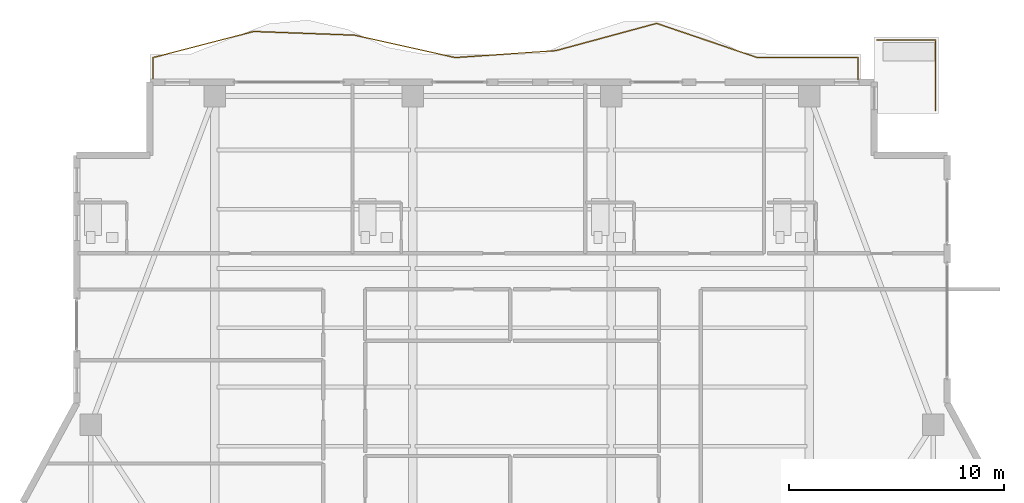
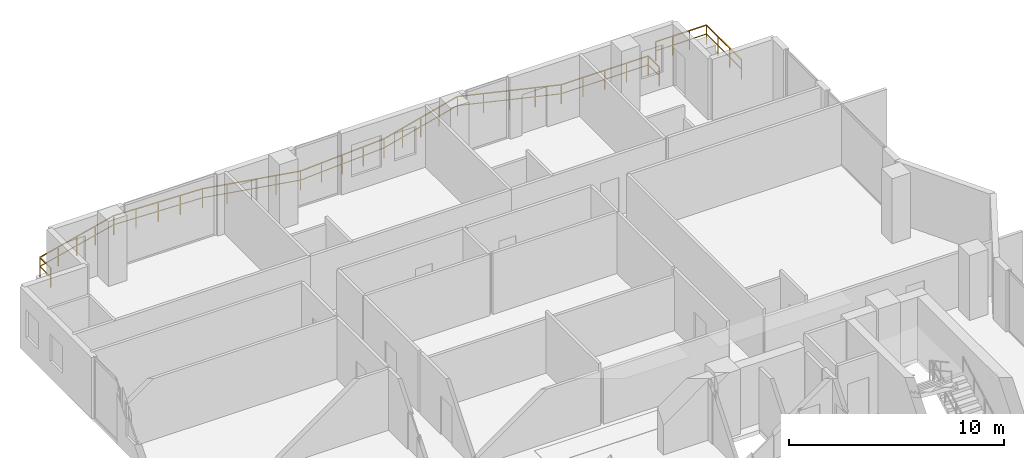
# One storey, part 22 of 23: 2 railings.
"""IFC4 building model written with IfcOpenShell, lengths in metres."""

from ifc_helpers import new_model, si_unit, direction, frame, origin, origin_2d, place, context, subcontext, project, spatial, rectangle, extrude, material, type_object, element, save


model = new_model("IFC4")

# Units and contexts
model_context = context("Model", 3, precision=1e-05, world=origin(), true_north=direction((0.0, 1.0)))
body_context = subcontext(model_context, "Body", "Model", "MODEL_VIEW")
ifc_project = project(units=[si_unit("LENGTHUNIT", "METRE"), si_unit("AREAUNIT", "SQUARE_METRE"), si_unit("VOLUMEUNIT", "CUBIC_METRE"), si_unit("PLANEANGLEUNIT", "RADIAN"), si_unit("MASSUNIT", "GRAM", prefix="KILO")], contexts=[model_context])

# Site, building, storey
site_placement = place(None, origin())
site = spatial("IfcSite", under=ifc_project, at=site_placement, CompositionType="ELEMENT")
building_placement = place(site_placement, origin())
building = spatial("IfcBuilding", under=site, at=building_placement, Name="Zuhayl Quay Hotel", CompositionType="ELEMENT")
storey_placement = place(building_placement, frame((0.0, 0.0, 265.550048828125)))
storey = spatial("IfcBuildingStorey", under=building, at=storey_placement, Name="L67", CompositionType="ELEMENT", Elevation=265.550048828125)

# Railings
ifc_material = material(Name="Anodised Aluminium and Laminated Glass", Category="aluminium")
railing_type = type_object("IfcRailingType", Name="RL_EXT_BAL_1100", PredefinedType="BALUSTRADE", material=ifc_material)
railing_1_placement = place(storey_placement, frame((-16.659912109375, 39.1201171875, 0.0)))
element("IfcRailing", 1, at=railing_1_placement, inside=storey, type_object=railing_type, Name="L67 Balcony and Terrace Guard GR_L67_BAL_N", PredefinedType="BALUSTRADE", context=body_context, shape_type="SweptSolid", body=[
    extrude(rectangle(XDim=0.048095703125, YDim=0.048095703125, at=origin_2d()), frame((0.0, 0.0, 1.09619140625), z_axis=(0.0, 1.0, 0.0), x_axis=(-1.0, 0.0, 0.0)), (0.0, 0.0, 1.0), 1.019775390625),
    extrude(rectangle(XDim=0.0361328125, YDim=0.0361328125, at=origin_2d()), frame((0.0, 0.0, 0.58251953125), z_axis=(0.0, 1.0, 0.0), x_axis=(-1.0, 0.0, 0.0)), (0.0, 0.0, 1.0), 1.019775390625),
    extrude(rectangle(XDim=0.048095703125, YDim=0.048095703125, at=origin_2d()), frame((0.0, 1.019775390625, 1.09619140625), z_axis=(0.968006450424, 0.250925311473, 0.0), x_axis=(-0.250925311473, 0.968006450424, 0.0)), (0.0, 0.0, 1.0), 4.828857421875),
    extrude(rectangle(XDim=0.0361328125, YDim=0.0361328125, at=origin_2d()), frame((0.0, 1.019775390625, 0.58251953125), z_axis=(0.968006450424, 0.250925311473, 0.0), x_axis=(-0.250925311473, 0.968006450424, 0.0)), (0.0, 0.0, 1.0), 4.828857421875),
    extrude(rectangle(XDim=0.048095703125, YDim=0.048095703125, at=origin_2d()), frame((4.67431640625, 2.2314453125, 1.09619140625), z_axis=(0.999341805023, -0.036276117961, 0.0), x_axis=(0.036276117961, 0.999341805023, 0.0)), (0.0, 0.0, 1.0), 4.677490234375),
    extrude(rectangle(XDim=0.0361328125, YDim=0.0361328125, at=origin_2d()), frame((4.67431640625, 2.2314453125, 0.58251953125), z_axis=(0.999341805023, -0.036276117961, 0.0), x_axis=(0.036276117961, 0.999341805023, 0.0)), (0.0, 0.0, 1.0), 4.677490234375),
    extrude(rectangle(XDim=0.048095703125, YDim=0.048095703125, at=origin_2d()), frame((9.3486328125, 2.061767578125, 1.09619140625), z_axis=(0.976040491198, -0.217588969257, 0.0), x_axis=(0.217588969257, 0.976040491198, 0.0)), (0.0, 0.0, 1.0), 4.788818359375),
    extrude(rectangle(XDim=0.0361328125, YDim=0.0361328125, at=origin_2d()), frame((9.3486328125, 2.061767578125, 0.58251953125), z_axis=(0.976040491198, -0.217588969257, 0.0), x_axis=(0.217588969257, 0.976040491198, 0.0)), (0.0, 0.0, 1.0), 4.788818359375),
    extrude(rectangle(XDim=0.048095703125, YDim=0.048095703125, at=origin_2d()), frame((14.022705078125, 1.019775390625, 1.09619140625), z_axis=(0.997621069826, 0.068936209933, 0.0), x_axis=(-0.068936209933, 0.997621069826, 0.0)), (0.0, 0.0, 1.0), 4.685546875),
    extrude(rectangle(XDim=0.0361328125, YDim=0.0361328125, at=origin_2d()), frame((14.022705078125, 1.019775390625, 0.58251953125), z_axis=(0.997621069826, 0.068936209933, 0.0), x_axis=(-0.068936209933, 0.997621069826, 0.0)), (0.0, 0.0, 1.0), 4.685546875),
    extrude(rectangle(XDim=0.048095703125, YDim=0.048095703125, at=origin_2d()), frame((18.697021484375, 1.3427734375, 1.09619140625), z_axis=(0.96528200639, 0.261209969451, 0.0), x_axis=(-0.261209969451, 0.96528200639, 0.0)), (0.0, 0.0, 1.0), 4.842529296875),
    extrude(rectangle(XDim=0.0361328125, YDim=0.0361328125, at=origin_2d()), frame((18.697021484375, 1.3427734375, 0.58251953125), z_axis=(0.96528200639, 0.261209969451, 0.0), x_axis=(-0.261209969451, 0.96528200639, 0.0)), (0.0, 0.0, 1.0), 4.842529296875),
    extrude(rectangle(XDim=0.048095703125, YDim=0.048095703125, at=origin_2d()), frame((23.371337890625, 2.607666015625, 1.09619140625), z_axis=(0.9468577191, -0.321652700565, 0.0), x_axis=(0.321652700565, 0.9468577191, 0.0)), (0.0, 0.0, 1.0), 4.936767578125),
    extrude(rectangle(XDim=0.0361328125, YDim=0.0361328125, at=origin_2d()), frame((23.371337890625, 2.607666015625, 0.58251953125), z_axis=(0.9468577191, -0.321652700565, 0.0), x_axis=(0.321652700565, 0.9468577191, 0.0)), (0.0, 0.0, 1.0), 4.936767578125),
    extrude(rectangle(XDim=0.048095703125, YDim=0.048095703125, at=origin_2d()), frame((28.045654296875, 1.019775390625, 1.09619140625), z_axis=(1.0, 0.0, 0.0), x_axis=(0.0, 1.0, 0.0)), (0.0, 0.0, 1.0), 4.67431640625),
    extrude(rectangle(XDim=0.0361328125, YDim=0.0361328125, at=origin_2d()), frame((28.045654296875, 1.019775390625, 0.58251953125), z_axis=(1.0, 0.0, 0.0), x_axis=(0.0, 1.0, 0.0)), (0.0, 0.0, 1.0), 4.67431640625),
    extrude(rectangle(XDim=0.048095703125, YDim=0.048095703125, at=origin_2d()), frame((32.719970703125, 1.019775390625, 1.09619140625), z_axis=(0.0, -1.0, 0.0), x_axis=(1.0, 0.0, 0.0)), (0.0, 0.0, 1.0), 1.019775390625),
    extrude(rectangle(XDim=0.0361328125, YDim=0.0361328125, at=origin_2d()), frame((32.719970703125, 1.019775390625, 0.58251953125), z_axis=(0.0, -1.0, 0.0), x_axis=(1.0, 0.0, 0.0)), (0.0, 0.0, 1.0), 1.019775390625),
    extrude(rectangle(XDim=0.0419921875, YDim=0.0419921875, at=origin_2d()), origin(), (0.0, 0.0, 1.0), 1.072021484375),
    extrude(rectangle(XDim=0.0419921875, YDim=0.0419921875, at=origin_2d()), frame((0.0, 1.019775390625, 0.0)), (0.0, 0.0, 1.0), 1.072021484375),
    extrude(rectangle(XDim=0.0419921875, YDim=0.0419921875, at=origin_2d()), frame((1.16845703125, 1.32275390625, 0.0)), (0.0, 0.0, 1.0), 1.072021484375),
    extrude(rectangle(XDim=0.0419921875, YDim=0.0419921875, at=origin_2d()), frame((2.337158203125, 1.62548828125, 0.0)), (0.0, 0.0, 1.0), 1.072021484375),
    extrude(rectangle(XDim=0.0419921875, YDim=0.0419921875, at=origin_2d()), frame((3.505859375, 1.928466796875, 0.0)), (0.0, 0.0, 1.0), 1.072021484375),
    extrude(rectangle(XDim=0.0419921875, YDim=0.0419921875, at=origin_2d()), frame((4.67431640625, 2.2314453125, 0.0)), (0.0, 0.0, 1.0), 1.072021484375),
    extrude(rectangle(XDim=0.0419921875, YDim=0.0419921875, at=origin_2d()), frame((5.8427734375, 2.18896484375, 0.0)), (0.0, 0.0, 1.0), 1.072021484375),
    extrude(rectangle(XDim=0.0419921875, YDim=0.0419921875, at=origin_2d()), frame((7.011474609375, 2.146484375, 0.0)), (0.0, 0.0, 1.0), 1.072021484375),
    extrude(rectangle(XDim=0.0419921875, YDim=0.0419921875, at=origin_2d()), frame((8.18017578125, 2.104248046875, 0.0)), (0.0, 0.0, 1.0), 1.072021484375),
    extrude(rectangle(XDim=0.0419921875, YDim=0.0419921875, at=origin_2d()), frame((9.3486328125, 2.061767578125, 0.0)), (0.0, 0.0, 1.0), 1.072021484375),
    extrude(rectangle(XDim=0.0419921875, YDim=0.0419921875, at=origin_2d()), frame((10.51708984375, 1.80126953125, 0.0)), (0.0, 0.0, 1.0), 1.072021484375),
    extrude(rectangle(XDim=0.0419921875, YDim=0.0419921875, at=origin_2d()), frame((11.685546875, 1.540771484375, 0.0)), (0.0, 0.0, 1.0), 1.072021484375),
    extrude(rectangle(XDim=0.0419921875, YDim=0.0419921875, at=origin_2d()), frame((12.854248046875, 1.2802734375, 0.0)), (0.0, 0.0, 1.0), 1.072021484375),
    extrude(rectangle(XDim=0.0419921875, YDim=0.0419921875, at=origin_2d()), frame((14.022705078125, 1.019775390625, 0.0)), (0.0, 0.0, 1.0), 1.072021484375),
    extrude(rectangle(XDim=0.0419921875, YDim=0.0419921875, at=origin_2d()), frame((15.19140625, 1.1005859375, 0.0)), (0.0, 0.0, 1.0), 1.072021484375),
    extrude(rectangle(XDim=0.0419921875, YDim=0.0419921875, at=origin_2d()), frame((16.35986328125, 1.18115234375, 0.0)), (0.0, 0.0, 1.0), 1.072021484375),
    extrude(rectangle(XDim=0.0419921875, YDim=0.0419921875, at=origin_2d()), frame((17.5283203125, 1.261962890625, 0.0)), (0.0, 0.0, 1.0), 1.072021484375),
    extrude(rectangle(XDim=0.0419921875, YDim=0.0419921875, at=origin_2d()), frame((18.697021484375, 1.3427734375, 0.0)), (0.0, 0.0, 1.0), 1.072021484375),
    extrude(rectangle(XDim=0.0419921875, YDim=0.0419921875, at=origin_2d()), frame((19.86572265625, 1.658935546875, 0.0)), (0.0, 0.0, 1.0), 1.072021484375),
    extrude(rectangle(XDim=0.0419921875, YDim=0.0419921875, at=origin_2d()), frame((21.0341796875, 1.97509765625, 0.0)), (0.0, 0.0, 1.0), 1.072021484375),
    extrude(rectangle(XDim=0.0419921875, YDim=0.0419921875, at=origin_2d()), frame((22.20263671875, 2.29150390625, 0.0)), (0.0, 0.0, 1.0), 1.072021484375),
    extrude(rectangle(XDim=0.0419921875, YDim=0.0419921875, at=origin_2d()), frame((23.371337890625, 2.607666015625, 0.0)), (0.0, 0.0, 1.0), 1.072021484375),
    extrude(rectangle(XDim=0.0419921875, YDim=0.0419921875, at=origin_2d()), frame((24.5400390625, 2.210693359375, 0.0)), (0.0, 0.0, 1.0), 1.072021484375),
    extrude(rectangle(XDim=0.0419921875, YDim=0.0419921875, at=origin_2d()), frame((25.70849609375, 1.813720703125, 0.0)), (0.0, 0.0, 1.0), 1.072021484375),
    extrude(rectangle(XDim=0.0419921875, YDim=0.0419921875, at=origin_2d()), frame((26.876953125, 1.416748046875, 0.0)), (0.0, 0.0, 1.0), 1.072021484375),
    extrude(rectangle(XDim=0.0419921875, YDim=0.0419921875, at=origin_2d()), frame((28.045654296875, 1.019775390625, 0.0)), (0.0, 0.0, 1.0), 1.072021484375),
    extrude(rectangle(XDim=0.0419921875, YDim=0.0419921875, at=origin_2d()), frame((29.21435546875, 1.019775390625, 0.0)), (0.0, 0.0, 1.0), 1.072021484375),
    extrude(rectangle(XDim=0.0419921875, YDim=0.0419921875, at=origin_2d()), frame((30.3828125, 1.019775390625, 0.0)), (0.0, 0.0, 1.0), 1.072021484375),
    extrude(rectangle(XDim=0.0419921875, YDim=0.0419921875, at=origin_2d()), frame((31.55126953125, 1.019775390625, 0.0)), (0.0, 0.0, 1.0), 1.072021484375),
    extrude(rectangle(XDim=0.0419921875, YDim=0.0419921875, at=origin_2d()), frame((32.719970703125, 1.019775390625, 0.0)), (0.0, 0.0, 1.0), 1.072021484375),
    extrude(rectangle(XDim=0.0419921875, YDim=0.0419921875, at=origin_2d()), frame((32.719970703125, 0.0, 0.0)), (0.0, 0.0, 1.0), 1.072021484375),
])
railing_2_placement = place(storey_placement, frame((19.659912109375, 37.68994140625, 0.0)))
element("IfcRailing", 2, at=railing_2_placement, inside=storey, type_object=railing_type, Name="L67 Balcony and Terrace Guard GR_L67_SPIRAL_NE", PredefinedType="BALUSTRADE", context=body_context, shape_type="SweptSolid", body=[
    extrude(rectangle(XDim=0.048095703125, YDim=0.048095703125, at=origin_2d()), frame((0.0, 0.0, 1.09619140625), z_axis=(0.0, 1.0, 0.0), x_axis=(-1.0, 0.0, 0.0)), (0.0, 0.0, 1.0), 3.27001953125),
    extrude(rectangle(XDim=0.0361328125, YDim=0.0361328125, at=origin_2d()), frame((0.0, 0.0, 0.58251953125), z_axis=(0.0, 1.0, 0.0), x_axis=(-1.0, 0.0, 0.0)), (0.0, 0.0, 1.0), 3.27001953125),
    extrude(rectangle(XDim=0.048095703125, YDim=0.048095703125, at=origin_2d()), frame((0.0, 3.27001953125, 1.09619140625), z_axis=(-1.0, 0.0, 0.0), x_axis=(0.0, -1.0, 0.0)), (0.0, 0.0, 1.0), 2.719970703125),
    extrude(rectangle(XDim=0.0361328125, YDim=0.0361328125, at=origin_2d()), frame((0.0, 3.27001953125, 0.58251953125), z_axis=(-1.0, 0.0, 0.0), x_axis=(0.0, -1.0, 0.0)), (0.0, 0.0, 1.0), 2.719970703125),
    extrude(rectangle(XDim=0.0419921875, YDim=0.0419921875, at=origin_2d()), origin(), (0.0, 0.0, 1.0), 1.072021484375),
    extrude(rectangle(XDim=0.0419921875, YDim=0.0419921875, at=origin_2d()), frame((0.0, 1.090087890625, 0.0)), (0.0, 0.0, 1.0), 1.072021484375),
    extrude(rectangle(XDim=0.0419921875, YDim=0.0419921875, at=origin_2d()), frame((0.0, 2.179931640625, 0.0)), (0.0, 0.0, 1.0), 1.072021484375),
    extrude(rectangle(XDim=0.0419921875, YDim=0.0419921875, at=origin_2d()), frame((0.0, 3.27001953125, 0.0)), (0.0, 0.0, 1.0), 1.072021484375),
    extrude(rectangle(XDim=0.0419921875, YDim=0.0419921875, at=origin_2d()), frame((-0.90673828125, 3.27001953125, 0.0)), (0.0, 0.0, 1.0), 1.072021484375),
    extrude(rectangle(XDim=0.0419921875, YDim=0.0419921875, at=origin_2d()), frame((-1.813232421875, 3.27001953125, 0.0)), (0.0, 0.0, 1.0), 1.072021484375),
    extrude(rectangle(XDim=0.0419921875, YDim=0.0419921875, at=origin_2d()), frame((-2.719970703125, 3.27001953125, 0.0)), (0.0, 0.0, 1.0), 1.072021484375),
])

save(model, "model.ifc")
